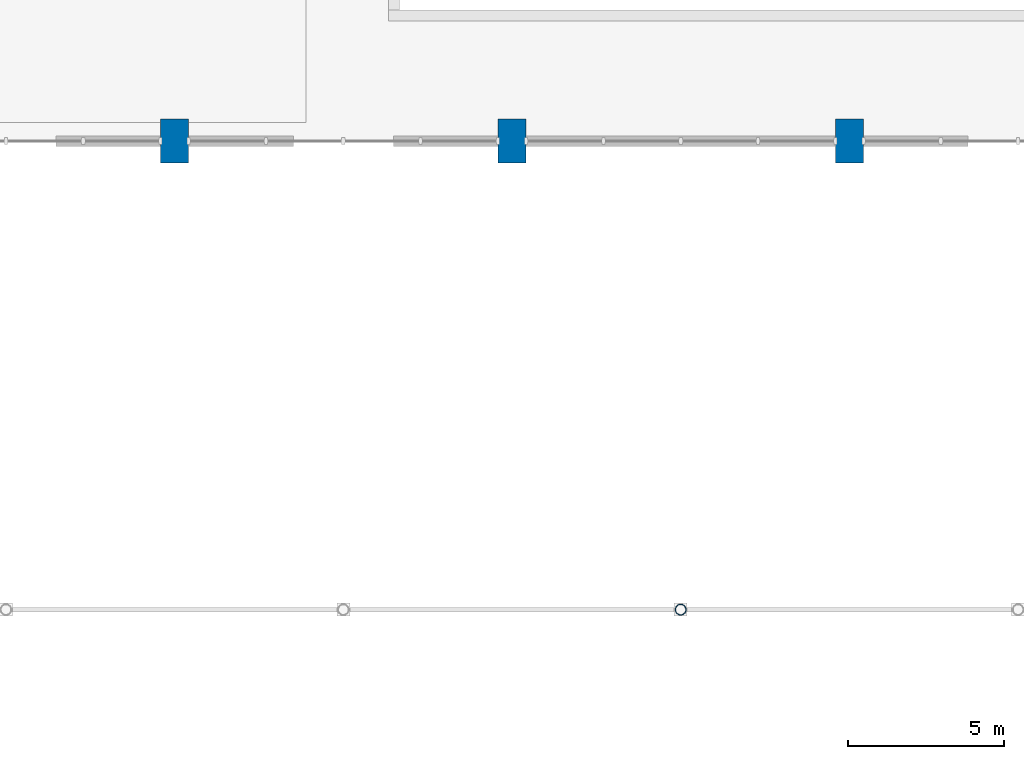
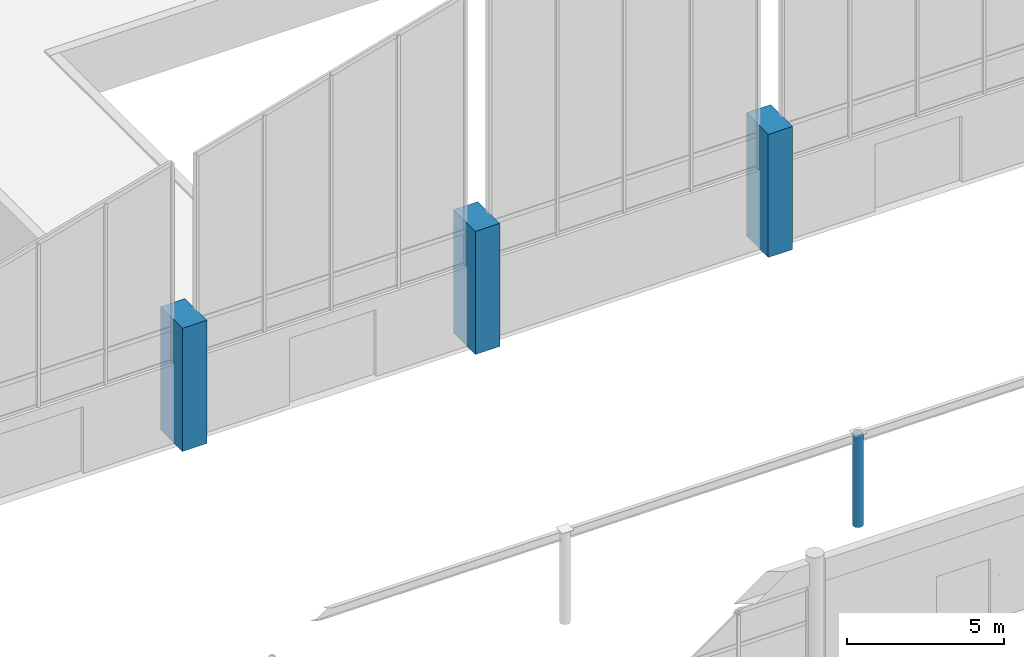
# One storey, part 5 of 82: 4 columns.
"""IFC4 building model written with IfcOpenShell, lengths in metres."""

from ifc_helpers import new_model, si_unit, direction, frame, origin, origin_2d, place, context, subcontext, project, spatial, rectangle, hollow_circle, extrude, material, material_profile, profile_set, type_object, element, save


model = new_model("IFC4")

# Units and contexts
model_context = context("Model", 3, precision=1e-05, world=origin(), true_north=direction((0.0, 1.0)))
body_context = subcontext(model_context, "Body", "Model", "MODEL_VIEW")
ifc_project = project(units=[si_unit("LENGTHUNIT", "METRE"), si_unit("AREAUNIT", "SQUARE_METRE"), si_unit("VOLUMEUNIT", "CUBIC_METRE"), si_unit("PLANEANGLEUNIT", "RADIAN"), si_unit("MASSUNIT", "GRAM", prefix="KILO")], contexts=[model_context])

# Site, building, storey
site_placement = place(None, origin())
site = spatial("IfcSite", under=ifc_project, at=site_placement, CompositionType="ELEMENT")
building_placement = place(site_placement, origin())
building = spatial("IfcBuilding", under=site, at=building_placement, Name="Suirenkawa Promenade Aquatics Centre", CompositionType="ELEMENT")
storey_placement = place(building_placement, origin())
storey = spatial("IfcBuildingStorey", under=building, at=storey_placement, Name="L00", CompositionType="ELEMENT", Elevation=0.0)

# Columns
ifc_material_1 = material(Name="Concrete M40", Category="concrete")
ifc_material_profile_1 = material_profile(ifc_material_1, rectangle(XDim=0.89990234375, YDim=1.39990234375, at=origin_2d()), Name="RC PIER 900x1400", Category="concrete")
ifc_profile_set_1 = profile_set([ifc_material_profile_1], Name="Concrete M40")
column_type_1 = type_object("IfcColumnType", Name="CT-PIER-900x1400", PredefinedType="COLUMN", material=ifc_profile_set_1)
for number, where, z_axis, x_axis, name in (
    (1, (111.60009765625, 50.39990234375, 0.0), (0.0, 0.0, 1.0), (1.0, 0.0, 0.0), "Column CL-09 COL-0061"),
    (2, (100.800048828125, 50.39990234375, 0.0), (0.0, 0.0, 1.0), (1.0, 0.0, 0.0), "Column CL-09 COL-0128"),
    (3, (122.39990234375, 50.39990234375, 0.0), (0.0, 0.0, 1.0), (1.0, 0.0, 0.0), "Column CL-09 COL-0137"),
):
    element("IfcColumn", number, at=place(storey_placement, frame(where, z_axis=z_axis, x_axis=x_axis)), inside=storey, type_object=column_type_1, Name=name, PredefinedType="COLUMN", context=body_context, shape_type="SweptSolid", body=[
        extrude(rectangle(XDim=0.89990234375, YDim=1.39990234375, at=origin_2d()), origin(), (0.0, 0.0, 1.0), 4.800048828125),
    ])
ifc_material_2 = material(Name="Steel IS 2062 E350 (Grade 350)", Category="steel")
ifc_material_profile_2 = material_profile(ifc_material_2, hollow_circle(Radius=0.177978515625, WallThickness=0.01611328125, at=origin_2d()), Name="CHS 356x16", Category="steel")
ifc_profile_set_2 = profile_set([ifc_material_profile_2], Name="Steel IS 2062 E350 (Grade 350)")
column_type_2 = type_object("IfcColumnType", Name="CT-STL-CHS356", PredefinedType="COLUMN", material=ifc_profile_set_2)
column_placement = place(storey_placement, frame((117.0, 35.39990234375, 0.0), z_axis=(0.0, 0.0, 1.0), x_axis=(1.0, 0.0, 0.0)))
element("IfcColumn", 4, at=column_placement, inside=storey, type_object=column_type_2, Name="Column CL-16 COL-1110", PredefinedType="COLUMN", context=body_context, shape_type="SweptSolid", body=[
    extrude(hollow_circle(Radius=0.177978515625, WallThickness=0.01611328125, at=origin_2d()), origin(), (0.0, 0.0, 1.0), 3.60009765625),
])

save(model, "model.ifc")
